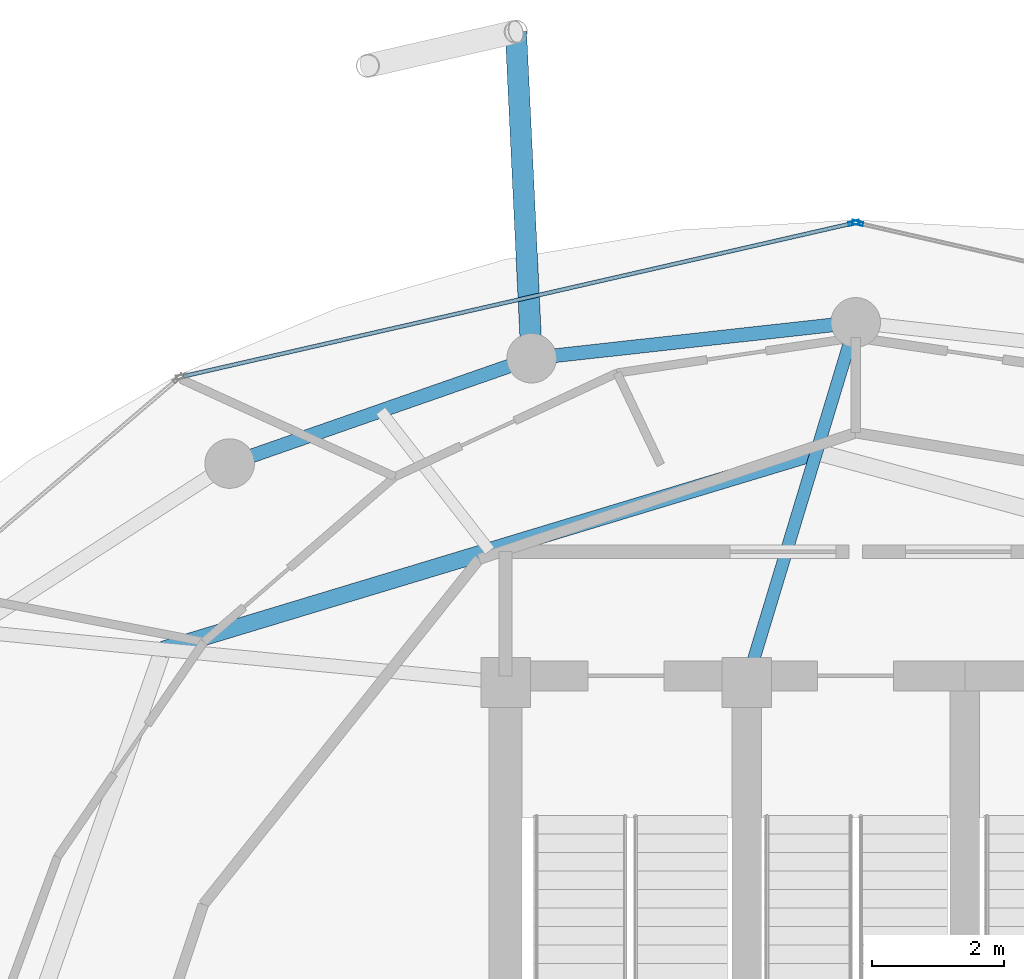
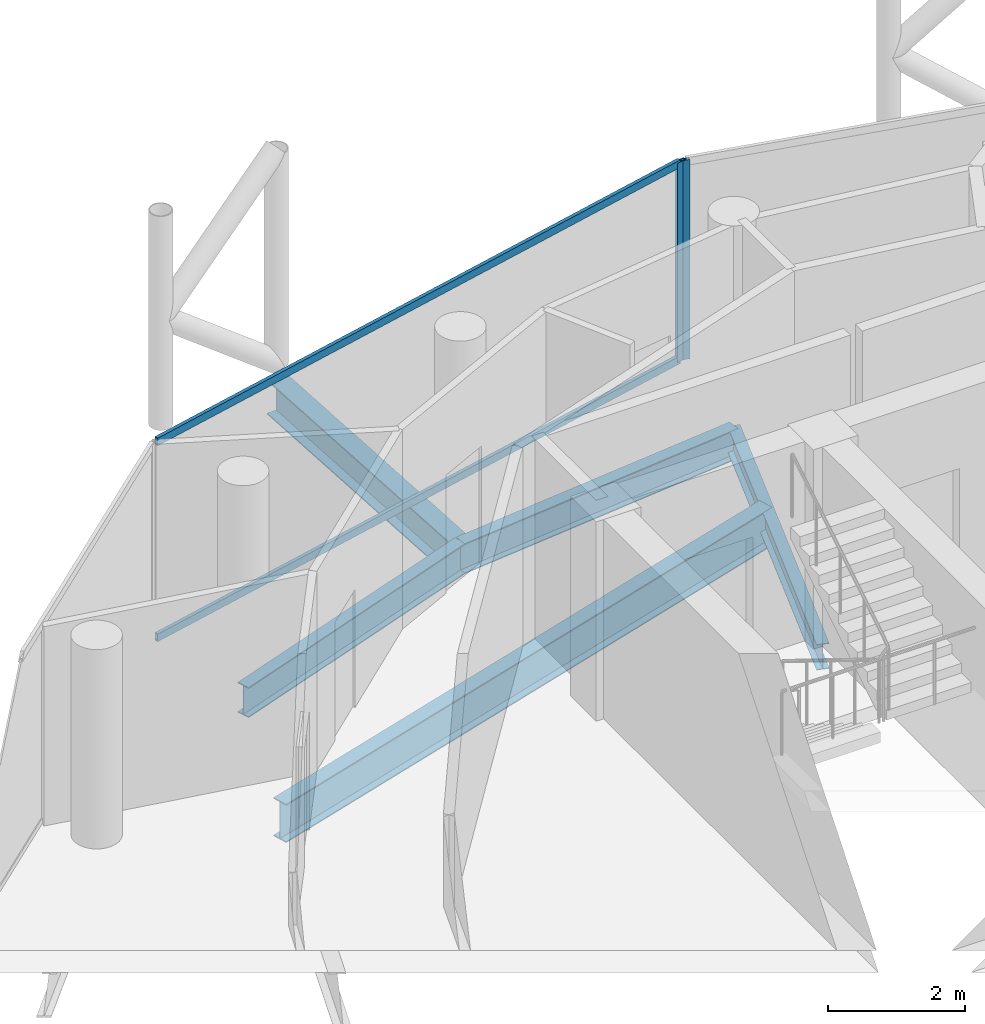
# One storey, part 16 of 24: 5 beams, 4 members, 2 elements without a shape of their own.
"""IFC4 building model written with IfcOpenShell, lengths in metres."""

from ifc_helpers import new_model, si_unit, direction, frame, origin, origin_2d, place, context, subcontext, project, spatial, hollow_rectangle, i_section, extrude, material, layer, layer_set, material_profile, profile_set, type_object, element, aggregate, save


model = new_model("IFC4")

# Units and contexts
model_context = context("Model", 3, precision=1e-05, world=origin(), true_north=direction((0.0, 1.0)))
body_context = subcontext(model_context, "Body", "Model", "MODEL_VIEW")
ifc_project = project(units=[si_unit("LENGTHUNIT", "METRE"), si_unit("AREAUNIT", "SQUARE_METRE"), si_unit("VOLUMEUNIT", "CUBIC_METRE"), si_unit("PLANEANGLEUNIT", "RADIAN"), si_unit("MASSUNIT", "GRAM", prefix="KILO")], contexts=[model_context])

# Site, building, storey
site_placement = place(None, origin())
site = spatial("IfcSite", under=ifc_project, at=site_placement, CompositionType="ELEMENT")
building_placement = place(site_placement, origin())
building = spatial("IfcBuilding", under=site, at=building_placement, Name="Nuhasar Tower", CompositionType="ELEMENT")
storey_placement = place(building_placement, frame((0.0, 0.0, 293.60009765625)))
storey = spatial("IfcBuildingStorey", under=building, at=storey_placement, Name="L73", CompositionType="ELEMENT", Elevation=293.60009765625)

# Beams
ifc_material_1 = material(Name="Steel S355", Category="steel")
ifc_material_profile_1 = material_profile(ifc_material_1, i_section(OverallWidth=0.25390625, OverallDepth=0.68408203125, WebThickness=0.012451171875, FlangeThickness=0.018798828125, at=origin_2d()), Name="W27X94")
ifc_profile_set_1 = profile_set([ifc_material_profile_1], Name="Steel S355")
beam_type_1 = type_object("IfcBeamType", Name="BM-INRING-W27X94", PredefinedType="BEAM", material=ifc_profile_set_1)
beam_1_placement = place(storey_placement, frame((38.406005859375, 40.7880859375, -0.60205078125), z_axis=(-0.957210818407, -0.289391515294, 0.0), x_axis=(0.289391515294, -0.957210818407, 0.0)))
element("IfcBeam", 1, at=beam_1_placement, inside=storey, type_object=beam_type_1, Name="L73 Inner Header Beam 06", PredefinedType="BEAM", context=body_context, shape_type="SweptSolid", body=[
    extrude(i_section(OverallWidth=0.25390625, OverallDepth=0.68408203125, WebThickness=0.012451171875, FlangeThickness=0.018798828125, at=origin_2d()), origin(), (0.0, 0.0, 1.0), 10.33203125),
])
ifc_material_profile_2 = material_profile(ifc_material_1, i_section(OverallWidth=0.18994140625, OverallDepth=0.45703125, WebThickness=0.009033203125, FlangeThickness=0.014404296875, at=origin_2d()), Name="W18X50")
ifc_profile_set_2 = profile_set([ifc_material_profile_2], Name="Steel S355")
beam_type_2 = type_object("IfcBeamType", Name="BM-RAD-W18X50", PredefinedType="BEAM", material=ifc_profile_set_2)
beam_2_placement = place(storey_placement, frame((37.35009765625, 37.300048828125, -0.489013671875), z_axis=(0.289750350206, 0.957102259195, 0.0), x_axis=(-0.957102259195, 0.289750350206, 0.0)))
element("IfcBeam", 2, at=beam_2_placement, inside=storey, type_object=beam_type_2, Name="L73 Radial Floor Girder 06", PredefinedType="BEAM", context=body_context, shape_type="SweptSolid", body=[
    extrude(i_section(OverallWidth=0.18994140625, OverallDepth=0.45703125, WebThickness=0.009033203125, FlangeThickness=0.014404296875, at=origin_2d()), origin(), (0.0, 0.0, 1.0), 5.6943359375),
])
ifc_material_profile_3 = material_profile(ifc_material_1, i_section(OverallWidth=0.2099609375, OverallDepth=0.537109375, WebThickness=0.010986328125, FlangeThickness=0.017333984375, at=origin_2d()), Name="W21X68")
ifc_profile_set_3 = profile_set([ifc_material_profile_3], Name="Steel S355")
beam_type_3 = type_object("IfcBeamType", Name="BM-RING-W21X68", PredefinedType="SPANDREL", material=ifc_profile_set_3)
beam_3_placement = place(storey_placement, frame((39.0, 42.75, -0.529052734375), z_axis=(-0.99392889943, -0.110024283128, 0.0), x_axis=(0.110024283128, -0.99392889943, 0.0)))
element("IfcBeam", 3, at=beam_3_placement, inside=storey, type_object=beam_type_3, Name="L73 Perimeter Ring Spandrel 07", PredefinedType="SPANDREL", context=body_context, shape_type="SweptSolid", body=[
    extrude(i_section(OverallWidth=0.2099609375, OverallDepth=0.537109375, WebThickness=0.010986328125, FlangeThickness=0.017333984375, at=origin_2d()), origin(), (0.0, 0.0, 1.0), 4.93505859375),
])
beam_4_placement = place(storey_placement, frame((34.094970703125, 42.20703125, -0.529052734375), z_axis=(-0.944214043504, -0.329332415729, 0.0), x_axis=(0.329332415729, -0.944214043504, 0.0)))
element("IfcBeam", 4, at=beam_4_placement, inside=storey, type_object=beam_type_3, Name="L73 Perimeter Ring Spandrel 08", PredefinedType="SPANDREL", context=body_context, shape_type="SweptSolid", body=[
    extrude(i_section(OverallWidth=0.2099609375, OverallDepth=0.537109375, WebThickness=0.010986328125, FlangeThickness=0.017333984375, at=origin_2d()), origin(), (0.0, 0.0, 1.0), 4.840087890625),
])
ifc_material_profile_4 = material_profile(ifc_material_1, i_section(OverallWidth=0.323974609375, OverallDepth=0.611083984375, WebThickness=0.0126953125, FlangeThickness=0.01904296875, at=origin_2d()), Name="W24X104")
ifc_profile_set_4 = profile_set([ifc_material_profile_4], Name="Steel S355")
beam_type_4 = type_object("IfcBeamType", Name="BM-TIE-W24X104", PredefinedType="BEAM", material=ifc_profile_set_4)
beam_5_placement = place(storey_placement, frame((34.094970703125, 42.20703125, -0.566162109375), z_axis=(-0.048111398417, 0.998841976162, 0.0), x_axis=(-0.998841976162, -0.048111398417, 0.0)))
element("IfcBeam", 5, at=beam_5_placement, inside=storey, type_object=beam_type_4, Name="L73 Exoskeleton Node Tie Beam 04", PredefinedType="BEAM", context=body_context, shape_type="SweptSolid", body=[
    extrude(i_section(OverallWidth=0.323974609375, OverallDepth=0.611083984375, WebThickness=0.0126953125, FlangeThickness=0.01904296875, at=origin_2d()), origin(), (0.0, 0.0, 1.0), 4.947509765625),
])

# Curtain wall, member
ifc_material_2 = material(Name="Aluminium 6063-T6", Category="aluminium")
ifc_layer = layer(ifc_material_2, 0.18994140625)
ifc_layer_set = layer_set([ifc_layer], Name="Aluminium 6063-T6")
curtain_wall_type = type_object("IfcCurtainWallType", Name="CW-Z4-PEN", PredefinedType="NOTDEFINED", material=ifc_layer_set)
curtain_wall_1_placement = place(storey_placement, origin())
curtain_wall_1 = element("IfcCurtainWall", 6, at=curtain_wall_1_placement, inside=storey, type_object=curtain_wall_type, Name="L73 Unitised Curtain Wall 03", PredefinedType="NOTDEFINED")
ifc_material_profile_5 = material_profile(ifc_material_2, hollow_rectangle(XDim=0.06005859375, YDim=0.1650390625, WallThickness=0.0048828125, at=origin_2d()), Name="CWM-5")
ifc_profile_set_5 = profile_set([ifc_material_profile_5], Name="Aluminium 6063-T6")
member_type_1 = type_object("IfcMemberType", Name="CW-MUL-S5", PredefinedType="MULLION", material=ifc_profile_set_5)
member_1_placement = place(storey_placement, frame((39.029296875, 44.25341796875, 0.0), z_axis=(0.0, 0.0, 1.0), x_axis=(-0.222889487645, -0.97484371891, 0.0)))
member_1 = element("IfcMember", 7, at=member_1_placement, type_object=member_type_1, Name="CW-Z4 mullion 2", PredefinedType="MULLION", context=body_context, shape_type="SweptSolid", body=[
    extrude(hollow_rectangle(XDim=0.06005859375, YDim=0.1650390625, WallThickness=0.0048828125, at=origin_2d()), origin(), (0.0, 0.0, 1.0), 3.539794921875),
])
aggregate(curtain_wall_1, [member_1])

# Curtain wall, members
curtain_wall_2_placement = place(storey_placement, origin())
curtain_wall_2 = element("IfcCurtainWall", 8, at=curtain_wall_2_placement, inside=storey, type_object=curtain_wall_type, Name="L73 Unitised Curtain Wall 04", PredefinedType="NOTDEFINED")
member_2_placement = place(storey_placement, frame((38.970703125, 44.25341796875, 0.0), z_axis=(0.0, 0.0, 1.0), x_axis=(0.222889487645, -0.97484371891, 0.0)))
member_2 = element("IfcMember", 9, at=member_2_placement, type_object=member_type_1, Name="CW-Z4 mullion 1", PredefinedType="MULLION", context=body_context, shape_type="SweptSolid", body=[
    extrude(hollow_rectangle(XDim=0.06005859375, YDim=0.1650390625, WallThickness=0.0048828125, at=origin_2d()), origin(), (0.0, 0.0, 1.0), 3.539794921875),
])
ifc_material_profile_6 = material_profile(ifc_material_2, hollow_rectangle(XDim=0.06005859375, YDim=0.135009765625, WallThickness=0.00439453125, at=origin_2d()), Name="CWT-5")
ifc_profile_set_6 = profile_set([ifc_material_profile_6], Name="Aluminium 6063-T6")
member_type_2 = type_object("IfcMemberType", Name="CW-TRN-S5", PredefinedType="USERDEFINED", material=ifc_profile_set_6)
member_3_placement = place(storey_placement, frame((38.94140625, 44.24658203125, 0.02978515625), z_axis=(-0.974843752401, -0.222889341163, 0.0), x_axis=(0.222889341163, -0.974843752401, 0.0)))
member_3 = element("IfcMember", 10, at=member_3_placement, type_object=member_type_2, Name="CW-Z4 transom 1.1", ObjectType="TRANSOM", PredefinedType="USERDEFINED", context=body_context, shape_type="SweptSolid", body=[
    extrude(hollow_rectangle(XDim=0.06005859375, YDim=0.135009765625, WallThickness=0.00439453125, at=origin_2d()), origin(), (0.0, 0.0, 1.0), 10.3740234375),
])
member_4_placement = place(storey_placement, frame((38.94140625, 44.24658203125, 3.510009765625), z_axis=(-0.974843752401, -0.222889341163, 0.0), x_axis=(0.222889341163, -0.974843752401, 0.0)))
member_4 = element("IfcMember", 11, at=member_4_placement, type_object=member_type_2, Name="CW-Z4 transom 1.2", ObjectType="TRANSOM", PredefinedType="USERDEFINED", context=body_context, shape_type="SweptSolid", body=[
    extrude(hollow_rectangle(XDim=0.06005859375, YDim=0.135009765625, WallThickness=0.00439453125, at=origin_2d()), origin(), (0.0, 0.0, 1.0), 10.3740234375),
])
aggregate(curtain_wall_2, [member_2, member_3, member_4])

save(model, "model.ifc")
